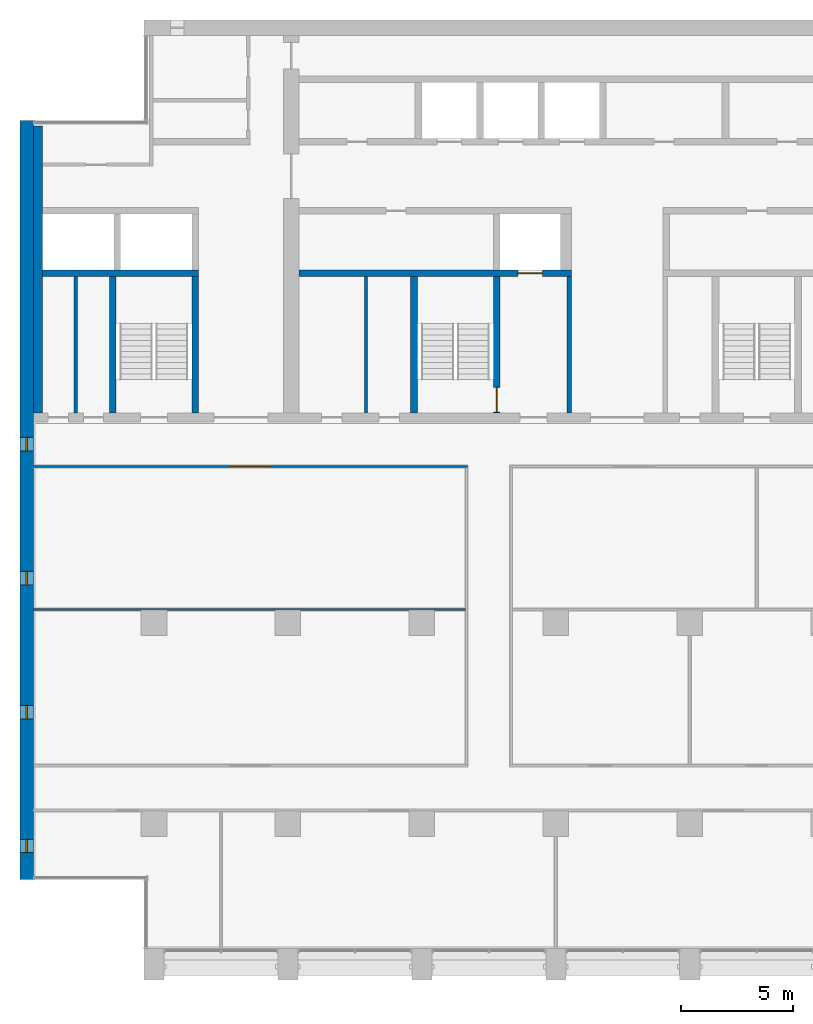
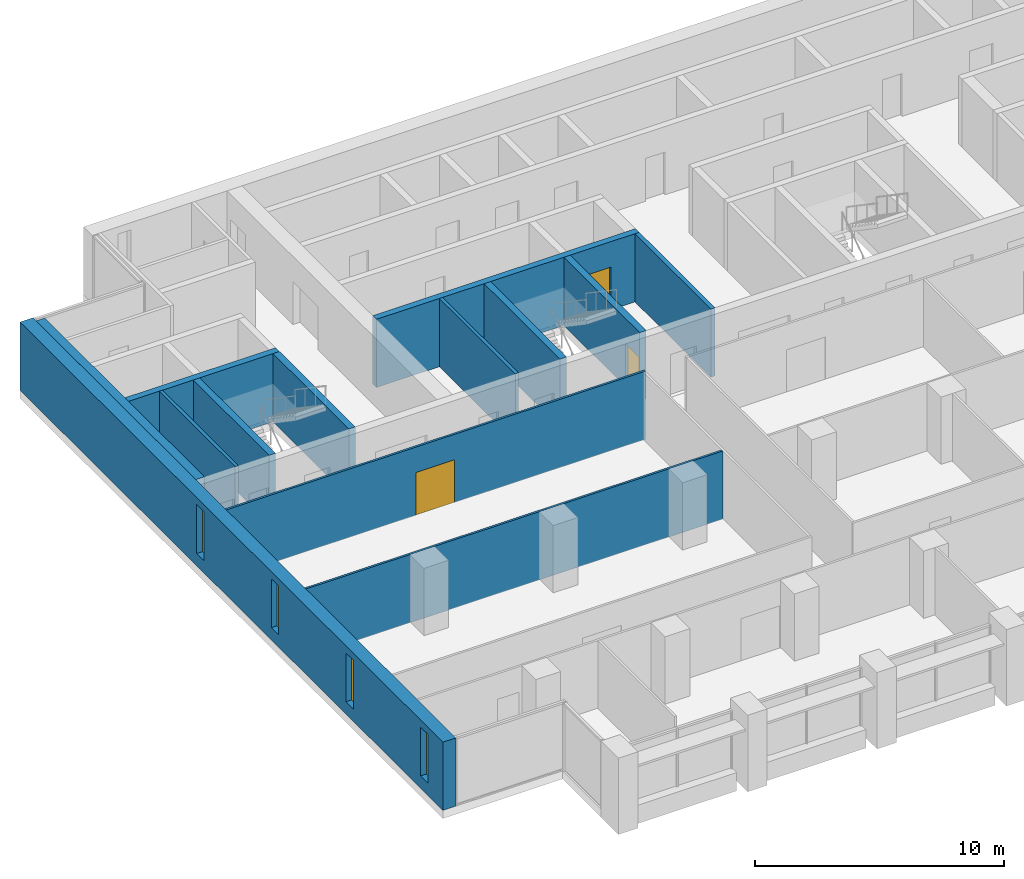
# One storey, part 8 of 17: 13 walls, 4 windows, 3 doors, 7 openings.
"""IFC4 building model written with IfcOpenShell, lengths in metres."""

import ifcopenshell
import ifcopenshell.guid

model = None  # the IFC model being written
_history = None  # IfcOwnerHistory: only IFC2X3 demands one
_inside = {}  # id of a spatial element -> (the spatial element, [elements in it])
_under = {}  # id of a project, library or spatial element -> (it, [spatial elements below it])
_declared = {}  # id of a project -> (the project, [libraries it declares])
_typed = {}  # id of a type object -> (the type object, [elements of that type])
_made_of = {}  # id of a material, layer set ... -> (it, [elements and type objects made of it])


def new_model(schema):
    """Start an empty IFC model of exactly this schema.

    Asked for "IFC4X3", IfcOpenShell would pick the latest addendum, in which some entities
    have other attributes; the version numbers below select the first issue.
    IFC2X3 requires an IfcOwnerHistory on every rooted entity: one is made here for all.
    """
    global model, _history
    if schema == "IFC4X3":
        model = ifcopenshell.file(schema_version=(4, 3, 0, 0))
    else:
        model = ifcopenshell.file(schema=schema)
    _inside.clear()
    _under.clear()
    _declared.clear()
    _typed.clear()
    _made_of.clear()
    _history = None
    if model.schema == "IFC2X3":
        org = make("IfcOrganization", Name="unknown")
        user = make(
            "IfcPersonAndOrganization",
            ThePerson=make("IfcPerson", FamilyName="unknown"),
            TheOrganization=org,
        )
        app = make(
            "IfcApplication",
            ApplicationDeveloper=org,
            Version="unknown",
            ApplicationFullName="unknown",
            ApplicationIdentifier="unknown",
        )
        _history = make(
            "IfcOwnerHistory",
            OwningUser=user,
            OwningApplication=app,
            ChangeAction="ADDED",
            CreationDate=0,
        )
    return model


def make(cls, **values):
    """One entity of the class cls with the attributes given. An attribute that is None is left unset."""
    return model.create_entity(
        cls, **{name: value for name, value in values.items() if value is not None}
    )


def rooted(cls, **values):
    """An entity with a GlobalId (a new one), such as an element, a storey or a relation."""
    return make(cls, GlobalId=ifcopenshell.guid.new(), OwnerHistory=_history, **values)


def si_unit(unit_type, name, prefix=None):
    """IfcSIUnit, for example si_unit("LENGTHUNIT", "METRE", prefix="MILLI")."""
    return make("IfcSIUnit", UnitType=unit_type, Prefix=prefix, Name=name)


def assignment(units):
    """IfcUnitAssignment: the units of a project."""
    return None if units is None else make("IfcUnitAssignment", Units=units)


def point(xyz):
    """IfcCartesianPoint."""
    return None if xyz is None else make("IfcCartesianPoint", Coordinates=xyz)


def direction(xyz):
    """IfcDirection."""
    return None if xyz is None else make("IfcDirection", DirectionRatios=xyz)


def frame(location, z_axis=None, x_axis=None):
    """IfcAxis2Placement3D, a coordinate frame: its origin and axes. An axis left out is left unset."""
    return make(
        "IfcAxis2Placement3D",
        Location=point(location),
        Axis=direction(z_axis),
        RefDirection=direction(x_axis),
    )


def frame_2d(location, x_axis=None):
    """IfcAxis2Placement2D, a coordinate frame in the plane: its origin and x axis."""
    return make(
        "IfcAxis2Placement2D", Location=point(location), RefDirection=direction(x_axis)
    )


def origin():
    """The frame at (0, 0, 0) with its axes left unset."""
    return frame((0.0, 0.0, 0.0))


def place(relative_to, where):
    """IfcLocalPlacement: puts the frame where relative to a parent placement (None: the world)."""
    return make(
        "IfcLocalPlacement", PlacementRelTo=relative_to, RelativePlacement=where
    )


def context(
    kind, dimensions, precision=None, world=None, true_north=None, identifier=None
):
    """IfcGeometricRepresentationContext, for example the 3D "Model" context."""
    return make(
        "IfcGeometricRepresentationContext",
        ContextIdentifier=identifier,
        ContextType=kind,
        CoordinateSpaceDimension=dimensions,
        Precision=precision,
        WorldCoordinateSystem=world,
        TrueNorth=true_north,
    )


def subcontext(parent, identifier, kind, view, scale=None):
    """IfcGeometricRepresentationSubContext, for example "Body" below "Model"."""
    return make(
        "IfcGeometricRepresentationSubContext",
        ContextIdentifier=identifier,
        ContextType=kind,
        ParentContext=parent,
        TargetScale=scale,
        TargetView=view,
    )


def project(units=None, contexts=None):
    """IfcProject with its units and contexts."""
    return rooted(
        "IfcProject",
        Name="project",
        RepresentationContexts=contexts,
        UnitsInContext=assignment(units),
    )


def spatial(cls, under=None, at=None, **own):
    """A site, building, storey or space (cls), placed at a placement, below another one or the project."""
    s = rooted(cls, ObjectPlacement=at, **own)
    if under is not None:
        _under.setdefault(under.id(), (under, []))[1].append(s)
    return s


def profile(cls, at=None, kind="AREA", **sizes):
    """A parametric profile (cls). Its sizes go by their IFC names, for example OverallWidth=200.0."""
    return make(cls, ProfileType=kind, Position=at, **sizes)


def rectangle(**sizes):
    """IfcRectangleProfileDef."""
    return profile("IfcRectangleProfileDef", **sizes)


def extrude(swept, where, along, depth):
    """IfcExtrudedAreaSolid: the profile swept, set in the frame where, extruded along a direction by depth."""
    return make(
        "IfcExtrudedAreaSolid",
        SweptArea=swept,
        Position=where,
        ExtrudedDirection=direction(along),
        Depth=depth,
    )


def shape(context_of_items, identifier, shape_type, items):
    """IfcShapeRepresentation: the items that make up one representation, for example the "Body"."""
    return make(
        "IfcShapeRepresentation",
        ContextOfItems=context_of_items,
        RepresentationIdentifier=identifier,
        RepresentationType=shape_type,
        Items=items,
    )


def material(Name=None, Category=None):
    """IfcMaterial."""
    return make("IfcMaterial", Name=Name, Category=Category)


def layer(
    of_material, thickness, ventilated=None, Name=None, Category=None, Priority=None
):
    """IfcMaterialLayer: one layer of a wall or slab, of a material (None: an air gap)."""
    return make(
        "IfcMaterialLayer",
        Material=of_material,
        LayerThickness=thickness,
        IsVentilated=ventilated,
        Name=Name,
        Category=Category,
        Priority=Priority,
    )


def layer_set(layers, Name=None):
    """IfcMaterialLayerSet."""
    return make("IfcMaterialLayerSet", MaterialLayers=layers, LayerSetName=Name)


def made_of(thing, what):
    """Note that an element or type object is made of a material, layer set ...; save() writes the relation."""
    if what is not None:
        _made_of.setdefault(what.id(), (what, []))[1].append(thing)
    return thing


def type_object(cls, material=None, **own):
    """A type object (cls), such as IfcWallType, which elements share."""
    return made_of(rooted(cls, **own), material)


def element(
    cls,
    number,
    at=None,
    inside=None,
    cuts=None,
    type_object=None,
    material=None,
    context=None,
    identifier="Body",
    shape_type=None,
    held_by="IfcProductDefinitionShape",
    body=None,
    shapes=None,
    **own,
):
    """One element of the class cls, such as IfcWall. Its Tag is "e" and its number.

    at: its placement. inside: the storey or other place that contains it. cuts: it is an
    opening in that element (IfcRelVoidsElement). A single representation is given by context,
    identifier, shape_type and body (its items); several are given by shapes. held_by: the class
    of the entity that holds the representations. save() writes the other relations.
    """
    e = rooted(cls, Tag="e%d" % number, ObjectPlacement=at, **own)
    if body is not None:
        shapes = [shape(context, identifier, shape_type, body)]
    if shapes is not None:
        e.Representation = make(held_by, Representations=shapes)
    if inside is not None:
        _inside.setdefault(inside.id(), (inside, []))[1].append(e)
    if cuts is not None:
        rooted(
            "IfcRelVoidsElement", RelatingBuildingElement=cuts, RelatedOpeningElement=e
        )
    if type_object is not None:
        _typed.setdefault(type_object.id(), (type_object, []))[1].append(e)
    return made_of(e, material)


def fill(opening, filler):
    """IfcRelFillsElement: the door or window that sits in an opening."""
    return rooted(
        "IfcRelFillsElement",
        RelatingOpeningElement=opening,
        RelatedBuildingElement=filler,
    )


def aggregate(whole, parts):
    """IfcRelAggregates: a whole, such as a stair, and the parts it consists of."""
    return rooted("IfcRelAggregates", RelatingObject=whole, RelatedObjects=parts)


def save(model, path):
    """Write the relations noted so far, then the file.

    IfcRelAggregates (storeys below a building ...), IfcRelContainedInSpatialStructure (elements
    in a storey), IfcRelDefinesByType, IfcRelAssociatesMaterial and IfcRelDeclares: one each for
    every whole, place, type object, material and project.
    """
    for whole, parts in _under.values():
        aggregate(whole, parts)
    for where, things in _inside.values():
        rooted(
            "IfcRelContainedInSpatialStructure",
            RelatedElements=things,
            RelatingStructure=where,
        )
    for kind, things in _typed.values():
        rooted("IfcRelDefinesByType", RelatedObjects=things, RelatingType=kind)
    for what, things in _made_of.values():
        rooted("IfcRelAssociatesMaterial", RelatedObjects=things, RelatingMaterial=what)
    for by, libraries in _declared.values():
        rooted("IfcRelDeclares", RelatingContext=by, RelatedDefinitions=libraries)
    model.write(path)


model = new_model("IFC4")

# Units and contexts
model_context = context("Model", 3, precision=1e-05, world=origin(), true_north=direction((0.0, 1.0)))
body_context = subcontext(model_context, "Body", "Model", "MODEL_VIEW")
ifc_project = project(units=[si_unit("LENGTHUNIT", "METRE"), si_unit("AREAUNIT", "SQUARE_METRE"), si_unit("VOLUMEUNIT", "CUBIC_METRE"), si_unit("PLANEANGLEUNIT", "RADIAN"), si_unit("MASSUNIT", "GRAM", prefix="KILO")], contexts=[model_context])

# Site, building, storey
site_placement = place(None, origin())
site = spatial("IfcSite", under=ifc_project, at=site_placement, CompositionType="ELEMENT")
building_placement = place(site_placement, origin())
building = spatial("IfcBuilding", under=site, at=building_placement, Name="Calvaro Tower", CompositionType="ELEMENT")
storey_placement = place(building_placement, frame((0.0, 0.0, 185.5)))
storey = spatial("IfcBuildingStorey", under=building, at=storey_placement, Name="L46", CompositionType="ELEMENT", Elevation=185.5)

# Walls
ifc_material_1 = material(Name="Blockwork partition", Category="masonry")
ifc_layer_1 = layer(ifc_material_1, 0.14990234375)
ifc_layer_set_1 = layer_set([ifc_layer_1], Name="Blockwork partition")
wall_type_1 = type_object("IfcWallType", Name="Core partition 150 EI 60", PredefinedType="PARTITIONING", material=ifc_layer_set_1)
wall_1_placement = place(storey_placement, frame((8.5, 28.39990234375, 0.0), z_axis=(0.0, 0.0, 1.0), x_axis=(0.0, 1.0, 0.0)))
element("IfcWall", 1, at=wall_1_placement, inside=storey, type_object=wall_type_1, Name="Core partition", PredefinedType="PARTITIONING", context=body_context, shape_type="SweptSolid", body=[
    extrude(rectangle(XDim=6.10009765625, YDim=0.14990234375, at=frame_2d((3.050048828125, 0.0))), origin(), (0.0, 0.0, 1.0), 3.35009765625),
])
ifc_material_2 = material(Name="Blockwork partition", Category="masonry")
ifc_layer_2 = layer(ifc_material_2, 0.14990234375)
ifc_layer_set_2 = layer_set([ifc_layer_2], Name="Blockwork partition")
wall_type_2 = type_object("IfcWallType", Name="Core partition 150 REI 120", PredefinedType="PARTITIONING", material=ifc_layer_set_2)
wall_2_placement = place(storey_placement, frame((21.5, 28.39990234375, 0.0), z_axis=(0.0, 0.0, 1.0), x_axis=(0.0, 1.0, 0.0)))
element("IfcWall", 2, at=wall_2_placement, inside=storey, type_object=wall_type_2, Name="Core partition", PredefinedType="PARTITIONING", context=body_context, shape_type="SweptSolid", body=[
    extrude(rectangle(XDim=6.10009765625, YDim=0.14990234375, at=frame_2d((3.050048828125, 0.0))), origin(), (0.0, 0.0, 1.0), 3.35009765625),
])
ifc_material_3 = material(Name="Blockwork partition", Category="masonry")
ifc_layer_3 = layer(ifc_material_3, 0.199951171875)
ifc_layer_set_3 = layer_set([ifc_layer_3], Name="Blockwork partition")
wall_type_3 = type_object("IfcWallType", Name="Core partition 200 REI 120", PredefinedType="PARTITIONING", material=ifc_layer_set_3)
wall_3_placement = place(storey_placement, frame((30.60009765625, 28.39990234375, 0.0), z_axis=(0.0, 0.0, 1.0), x_axis=(0.0, 1.0, 0.0)))
element("IfcWall", 3, at=wall_3_placement, inside=storey, type_object=wall_type_3, Name="Core partition", PredefinedType="PARTITIONING", context=body_context, shape_type="SweptSolid", body=[
    extrude(rectangle(XDim=6.10009765625, YDim=0.199951171875, at=frame_2d((3.050048828125, 0.0))), origin(), (0.0, 0.0, 1.0), 3.35009765625),
])
ifc_material_4 = material(Name="Concrete C50/60", Category="concrete")
ifc_layer_4 = layer(ifc_material_4, 0.300048828125)
ifc_layer_set_4 = layer_set([ifc_layer_4], Name="Concrete C50/60")
wall_type_4 = type_object("IfcWallType", Name="Core wall C50/60 300", PredefinedType="SHEAR", material=ifc_layer_set_4)
for number, where, z_axis, x_axis, name in (
    (4, (10.14990234375, 28.39990234375, 0.0), (0.0, 0.0, 1.0), (0.0, 1.0, 0.0), "Core wall, stair enclosure"),
    (5, (13.85009765625, 28.39990234375, 0.0), (0.0, 0.0, 1.0), (0.0, 1.0, 0.0), "Core wall, stair enclosure"),
    (6, (23.64990234375, 28.39990234375, 0.0), (0.0, 0.0, 1.0), (0.0, 1.0, 0.0), "Core wall, stair enclosure"),
):
    element("IfcWall", number, at=place(storey_placement, frame(where, z_axis=z_axis, x_axis=x_axis)), inside=storey, type_object=wall_type_4, Name=name, PredefinedType="SHEAR", context=body_context, shape_type="SweptSolid", body=[
        extrude(rectangle(XDim=6.10009765625, YDim=0.300048828125, at=frame_2d((3.050048828125, 0.0))), origin(), (0.0, 0.0, 1.0), 3.35009765625),
    ])

# Wall, opening, door
wall_4_placement = place(storey_placement, frame((27.35009765625, 28.39990234375, 0.0), z_axis=(0.0, 0.0, 1.0), x_axis=(0.0, 1.0, 0.0)))
wall_4 = element("IfcWall", 7, at=wall_4_placement, inside=storey, type_object=wall_type_4, Name="Core wall, stair enclosure", PredefinedType="SHEAR", context=body_context, shape_type="SweptSolid", body=[
    extrude(rectangle(XDim=6.10009765625, YDim=0.300048828125, at=frame_2d((3.050048828125, 0.0))), origin(), (0.0, 0.0, 1.0), 3.35009765625),
])
opening_1_placement = place(wall_4_placement, frame((0.050048828125, 0.0, 0.0)))
opening_1 = element("IfcOpeningElement", 8, at=opening_1_placement, cuts=wall_4, Name="Opening FD11D", PredefinedType="OPENING", context=body_context, shape_type="SweptSolid", body=[
    extrude(rectangle(XDim=1.10009765625, YDim=2.10009765625, at=frame_2d((0.550048828125, 1.050048828125))), frame((0.0, 0.159912109375, 0.0), z_axis=(0.0, -1.0, 0.0), x_axis=(1.0, 0.0, 0.0)), (0.0, 0.0, 1.0), 0.320068359375),
])
ifc_material_5 = material(Name="Steel door set", Category="steel")
door_type_1 = type_object("IfcDoorType", Name="Fire door 1100 FD30S", OperationType="SINGLE_SWING_LEFT", PredefinedType="DOOR", material=ifc_material_5)
door_1_placement = place(opening_1_placement, origin())
door_1 = element("IfcDoor", 9, at=door_1_placement, inside=storey, type_object=door_type_1, Name="Fire door", OperationType="SINGLE_SWING_LEFT", OverallHeight=2.10009765625, OverallWidth=1.10009765625, PredefinedType="DOOR", context=body_context, shape_type="SweptSolid", body=[
    extrude(rectangle(XDim=1.10009765625, YDim=2.10009765625, at=frame_2d((0.550048828125, 1.050048828125))), frame((0.0, 0.02490234375, 0.0), z_axis=(0.0, -1.0, 0.0), x_axis=(1.0, 0.0, 0.0)), (0.0, 0.0, 1.0), 0.050048828125),
])
fill(opening_1, door_1)

# Wall
wall_5_placement = place(storey_placement, frame((7.0, 34.64990234375, 0.0), z_axis=(0.0, 0.0, 1.0), x_axis=(1.0, 0.0, 0.0)))
element("IfcWall", 10, at=wall_5_placement, inside=storey, type_object=wall_type_4, Name="Core wall, lift shaft", PredefinedType="SHEAR", context=body_context, shape_type="SweptSolid", body=[
    extrude(rectangle(XDim=7.0, YDim=0.300048828125, at=frame_2d((3.5, 0.0))), origin(), (0.0, 0.0, 1.0), 3.35009765625),
])

# Wall, opening, door
wall_6_placement = place(storey_placement, frame((18.5, 34.64990234375, 0.0), z_axis=(0.0, 0.0, 1.0), x_axis=(1.0, 0.0, 0.0)))
wall_6 = element("IfcWall", 11, at=wall_6_placement, inside=storey, type_object=wall_type_4, Name="Core wall, lift shaft", PredefinedType="SHEAR", context=body_context, shape_type="SweptSolid", body=[
    extrude(rectangle(XDim=12.199951171875, YDim=0.300048828125, at=frame_2d((6.10009765625, 0.0))), origin(), (0.0, 0.0, 1.0), 3.35009765625),
])
opening_2_placement = place(wall_6_placement, frame((9.800048828125, 0.0, 0.0)))
opening_2 = element("IfcOpeningElement", 12, at=opening_2_placement, cuts=wall_6, Name="Opening FF1", PredefinedType="OPENING", context=body_context, shape_type="SweptSolid", body=[
    extrude(rectangle(XDim=1.10009765625, YDim=2.10009765625, at=frame_2d((0.550048828125, 1.050048828125))), frame((0.0, 0.159912109375, 0.0), z_axis=(0.0, -1.0, 0.0), x_axis=(1.0, 0.0, 0.0)), (0.0, 0.0, 1.0), 0.320068359375),
])
ifc_material_6 = material(Name="Stainless steel", Category="steel")
door_type_2 = type_object("IfcDoorType", Name="Landing door 1100 E 60", OperationType="SLIDING_TO_LEFT", PredefinedType="DOOR", material=ifc_material_6)
door_2_placement = place(opening_2_placement, origin())
door_2 = element("IfcDoor", 13, at=door_2_placement, inside=storey, type_object=door_type_2, Name="Landing door FF1", OperationType="SLIDING_TO_LEFT", OverallHeight=2.10009765625, OverallWidth=1.10009765625, PredefinedType="DOOR", context=body_context, shape_type="SweptSolid", body=[
    extrude(rectangle(XDim=1.10009765625, YDim=2.10009765625, at=frame_2d((0.550048828125, 1.050048828125))), frame((0.0, 0.02490234375, 0.0), z_axis=(0.0, -1.0, 0.0), x_axis=(1.0, 0.0, 0.0)), (0.0, 0.0, 1.0), 0.050048828125),
])
fill(opening_2, door_2)

# Wall
ifc_material_7 = material(Name="Concrete C50/60", Category="concrete")
ifc_layer_5 = layer(ifc_material_7, 0.39990234375)
ifc_layer_set_5 = layer_set([ifc_layer_5], Name="Concrete C50/60")
wall_type_5 = type_object("IfcWallType", Name="Core wall C50/60 400", PredefinedType="SHEAR", material=ifc_layer_set_5)
wall_7_placement = place(storey_placement, frame((6.800048828125, 28.39990234375, 0.0), z_axis=(0.0, 0.0, 1.0), x_axis=(0.0, 1.0, 0.0)))
element("IfcWall", 14, at=wall_7_placement, inside=storey, type_object=wall_type_5, Name="Core wall, boundary", PredefinedType="SHEAR", context=body_context, shape_type="SweptSolid", body=[
    extrude(rectangle(XDim=12.85009765625, YDim=0.39990234375, at=frame_2d((6.425048828125, 0.0))), origin(), (0.0, 0.0, 1.0), 3.35009765625),
])

# Wall, openings, windows
ifc_material_8 = material(Name="Concrete C50/60", Category="concrete")
ifc_layer_6 = layer(ifc_material_8, 0.60009765625)
ifc_layer_set_6 = layer_set([ifc_layer_6], Name="Concrete C50/60")
wall_type_6 = type_object("IfcWallType", Name="End wall 600 C50/60", PredefinedType="SHEAR", material=ifc_layer_set_6)
wall_8_placement = place(storey_placement, frame((6.300048828125, 7.5, 0.0), z_axis=(0.0, 0.0, 1.0), x_axis=(0.0, 1.0, 0.0)))
wall_8 = element("IfcWall", 15, at=wall_8_placement, inside=storey, type_object=wall_type_6, Name="End shear wall", PredefinedType="SHEAR", context=body_context, shape_type="SweptSolid", body=[
    extrude(rectangle(XDim=34.0, YDim=0.60009765625, at=frame_2d((17.0, 0.0))), origin(), (0.0, 0.0, 1.0), 3.35009765625),
])
opening_3_placement = place(wall_8_placement, frame((1.199951171875, 0.0, 0.60009765625)))
opening_3 = element("IfcOpeningElement", 16, at=opening_3_placement, cuts=wall_8, Name="Opening WW01", PredefinedType="OPENING", context=body_context, shape_type="SweptSolid", body=[
    extrude(rectangle(XDim=0.60009765625, YDim=2.39990234375, at=frame_2d((0.300048828125, 1.199951171875))), frame((0.0, 0.31005859375, 0.0), z_axis=(0.0, -1.0, 0.0), x_axis=(1.0, 0.0, 0.0)), (0.0, 0.0, 1.0), 0.6201171875),
])
opening_4_placement = place(wall_8_placement, frame((7.199951171875, 0.0, 0.60009765625)))
opening_4 = element("IfcOpeningElement", 17, at=opening_4_placement, cuts=wall_8, Name="Opening WW02", PredefinedType="OPENING", context=body_context, shape_type="SweptSolid", body=[
    extrude(rectangle(XDim=0.60009765625, YDim=2.39990234375, at=frame_2d((0.300048828125, 1.199951171875))), frame((0.0, 0.31005859375, 0.0), z_axis=(0.0, -1.0, 0.0), x_axis=(1.0, 0.0, 0.0)), (0.0, 0.0, 1.0), 0.6201171875),
])
opening_5_placement = place(wall_8_placement, frame((13.199951171875, 0.0, 0.60009765625)))
opening_5 = element("IfcOpeningElement", 18, at=opening_5_placement, cuts=wall_8, Name="Opening WW03", PredefinedType="OPENING", context=body_context, shape_type="SweptSolid", body=[
    extrude(rectangle(XDim=0.60009765625, YDim=2.39990234375, at=frame_2d((0.300048828125, 1.199951171875))), frame((0.0, 0.31005859375, 0.0), z_axis=(0.0, -1.0, 0.0), x_axis=(1.0, 0.0, 0.0)), (0.0, 0.0, 1.0), 0.6201171875),
])
opening_6_placement = place(wall_8_placement, frame((19.199951171875, 0.0, 0.60009765625)))
opening_6 = element("IfcOpeningElement", 19, at=opening_6_placement, cuts=wall_8, Name="Opening WW04", PredefinedType="OPENING", context=body_context, shape_type="SweptSolid", body=[
    extrude(rectangle(XDim=0.60009765625, YDim=2.39990234375, at=frame_2d((0.300048828125, 1.199951171875))), frame((0.0, 0.31005859375, 0.0), z_axis=(0.0, -1.0, 0.0), x_axis=(1.0, 0.0, 0.0)), (0.0, 0.0, 1.0), 0.6201171875),
])
ifc_material_9 = material(Name="Glass", Category="glass")
window_type = type_object("IfcWindowType", Name="Slit window 600 x 2400", PartitioningType="SINGLE_PANEL", PredefinedType="WINDOW", material=ifc_material_9)
window_1_placement = place(opening_3_placement, origin())
window_1 = element("IfcWindow", 20, at=window_1_placement, inside=storey, type_object=window_type, Name="Window WW01", OverallHeight=2.39990234375, OverallWidth=0.60009765625, PartitioningType="SINGLE_PANEL", PredefinedType="WINDOW", context=body_context, shape_type="SweptSolid", body=[
    extrude(rectangle(XDim=0.60009765625, YDim=2.39990234375, at=frame_2d((0.300048828125, 1.199951171875))), frame((0.0, 0.030029296875, 0.0), z_axis=(0.0, -1.0, 0.0), x_axis=(1.0, 0.0, 0.0)), (0.0, 0.0, 1.0), 0.06005859375),
])
fill(opening_3, window_1)
window_2_placement = place(opening_4_placement, origin())
window_2 = element("IfcWindow", 21, at=window_2_placement, inside=storey, type_object=window_type, Name="Window WW02", OverallHeight=2.39990234375, OverallWidth=0.60009765625, PartitioningType="SINGLE_PANEL", PredefinedType="WINDOW", context=body_context, shape_type="SweptSolid", body=[
    extrude(rectangle(XDim=0.60009765625, YDim=2.39990234375, at=frame_2d((0.300048828125, 1.199951171875))), frame((0.0, 0.030029296875, 0.0), z_axis=(0.0, -1.0, 0.0), x_axis=(1.0, 0.0, 0.0)), (0.0, 0.0, 1.0), 0.06005859375),
])
fill(opening_4, window_2)
window_3_placement = place(opening_5_placement, origin())
window_3 = element("IfcWindow", 22, at=window_3_placement, inside=storey, type_object=window_type, Name="Window WW03", OverallHeight=2.39990234375, OverallWidth=0.60009765625, PartitioningType="SINGLE_PANEL", PredefinedType="WINDOW", context=body_context, shape_type="SweptSolid", body=[
    extrude(rectangle(XDim=0.60009765625, YDim=2.39990234375, at=frame_2d((0.300048828125, 1.199951171875))), frame((0.0, 0.030029296875, 0.0), z_axis=(0.0, -1.0, 0.0), x_axis=(1.0, 0.0, 0.0)), (0.0, 0.0, 1.0), 0.06005859375),
])
fill(opening_5, window_3)
window_4_placement = place(opening_6_placement, origin())
window_4 = element("IfcWindow", 23, at=window_4_placement, inside=storey, type_object=window_type, Name="Window WW04", OverallHeight=2.39990234375, OverallWidth=0.60009765625, PartitioningType="SINGLE_PANEL", PredefinedType="WINDOW", context=body_context, shape_type="SweptSolid", body=[
    extrude(rectangle(XDim=0.60009765625, YDim=2.39990234375, at=frame_2d((0.300048828125, 1.199951171875))), frame((0.0, 0.030029296875, 0.0), z_axis=(0.0, -1.0, 0.0), x_axis=(1.0, 0.0, 0.0)), (0.0, 0.0, 1.0), 0.06005859375),
])
fill(opening_6, window_4)

# Wall
ifc_material_10 = material(Name="Plasterboard on steel studs", Category="steel")
ifc_layer_7 = layer(ifc_material_10, 0.10009765625)
ifc_layer_set_7 = layer_set([ifc_layer_7], Name="Plasterboard on steel studs")
wall_type_7 = type_object("IfcWallType", Name="Partition 100", PredefinedType="PARTITIONING", material=ifc_layer_set_7)
wall_9_placement = place(storey_placement, frame((6.60009765625, 19.60009765625, 0.0), z_axis=(0.0, 0.0, 1.0), x_axis=(1.0, 0.0, 0.0)))
element("IfcWall", 24, at=wall_9_placement, inside=storey, type_object=wall_type_7, Name="Partition T27.W005", PredefinedType="PARTITIONING", context=body_context, shape_type="SweptSolid", body=[
    extrude(rectangle(XDim=19.349853515625, YDim=0.10009765625, at=frame_2d((9.6748046875, 0.0))), origin(), (0.0, 0.0, 1.0), 3.35009765625),
])

# Wall, opening, door
wall_10_placement = place(storey_placement, frame((6.60009765625, 26.0, 0.0), z_axis=(0.0, 0.0, 1.0), x_axis=(1.0, 0.0, 0.0)))
wall_10 = element("IfcWall", 25, at=wall_10_placement, inside=storey, type_object=wall_type_7, Name="Partition T27.W008", PredefinedType="PARTITIONING", context=body_context, shape_type="SweptSolid", body=[
    extrude(rectangle(XDim=19.449951171875, YDim=0.10009765625, at=frame_2d((9.72509765625, 0.0))), origin(), (0.0, 0.0, 1.0), 3.35009765625),
])
opening_7_placement = place(wall_10_placement, frame((8.800048828125, 0.0, 0.0)))
opening_7 = element("IfcOpeningElement", 26, at=opening_7_placement, cuts=wall_10, Name="Opening T27.010", PredefinedType="OPENING", context=body_context, shape_type="SweptSolid", body=[
    extrude(rectangle(XDim=1.800048828125, YDim=2.10009765625, at=frame_2d((0.89990234375, 1.050048828125))), frame((0.0, 0.06005859375, 0.0), z_axis=(0.0, -1.0, 0.0), x_axis=(1.0, 0.0, 0.0)), (0.0, 0.0, 1.0), 0.1201171875),
])
ifc_material_11 = material(Name="Timber", Category="wood")
door_type_3 = type_object("IfcDoorType", Name="Internal double door 1800 x 2100", OperationType="DOUBLE_DOOR_SINGLE_SWING", PredefinedType="DOOR", material=ifc_material_11)
door_3_placement = place(opening_7_placement, origin())
door_3 = element("IfcDoor", 27, at=door_3_placement, inside=storey, type_object=door_type_3, Name="Door T27.010", OperationType="DOUBLE_DOOR_SINGLE_SWING", OverallHeight=2.10009765625, OverallWidth=1.800048828125, PredefinedType="DOOR", context=body_context, shape_type="SweptSolid", body=[
    extrude(rectangle(XDim=1.800048828125, YDim=2.10009765625, at=frame_2d((0.89990234375, 1.050048828125))), frame((0.0, 0.02490234375, 0.0), z_axis=(0.0, -1.0, 0.0), x_axis=(1.0, 0.0, 0.0)), (0.0, 0.0, 1.0), 0.050048828125),
])
fill(opening_7, door_3)

save(model, "model.ifc")
